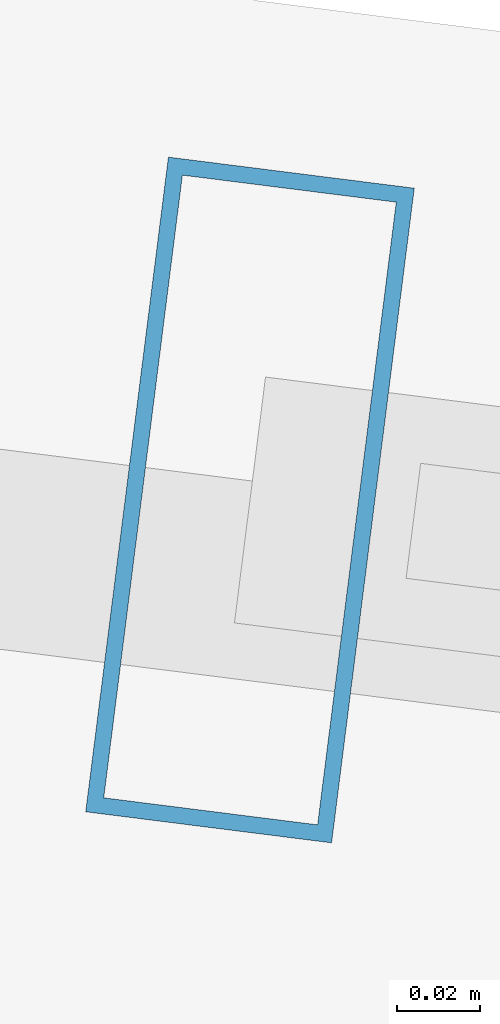
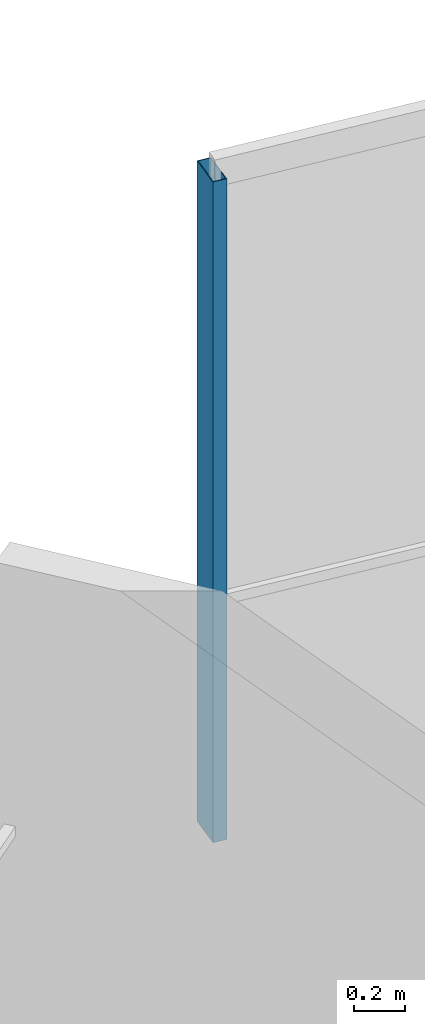
# One storey, part 18 of 30: 1 member, 1 element without a shape of its own.
"""IFC4 building model written with IfcOpenShell, lengths in metres."""

import ifcopenshell
import ifcopenshell.guid

model = None  # the IFC model being written
_history = None  # IfcOwnerHistory: only IFC2X3 demands one
_inside = {}  # id of a spatial element -> (the spatial element, [elements in it])
_under = {}  # id of a project, library or spatial element -> (it, [spatial elements below it])
_declared = {}  # id of a project -> (the project, [libraries it declares])
_typed = {}  # id of a type object -> (the type object, [elements of that type])
_made_of = {}  # id of a material, layer set ... -> (it, [elements and type objects made of it])


def new_model(schema):
    """Start an empty IFC model of exactly this schema.

    Asked for "IFC4X3", IfcOpenShell would pick the latest addendum, in which some entities
    have other attributes; the version numbers below select the first issue.
    IFC2X3 requires an IfcOwnerHistory on every rooted entity: one is made here for all.
    """
    global model, _history
    if schema == "IFC4X3":
        model = ifcopenshell.file(schema_version=(4, 3, 0, 0))
    else:
        model = ifcopenshell.file(schema=schema)
    _inside.clear()
    _under.clear()
    _declared.clear()
    _typed.clear()
    _made_of.clear()
    _history = None
    if model.schema == "IFC2X3":
        org = make("IfcOrganization", Name="unknown")
        user = make(
            "IfcPersonAndOrganization",
            ThePerson=make("IfcPerson", FamilyName="unknown"),
            TheOrganization=org,
        )
        app = make(
            "IfcApplication",
            ApplicationDeveloper=org,
            Version="unknown",
            ApplicationFullName="unknown",
            ApplicationIdentifier="unknown",
        )
        _history = make(
            "IfcOwnerHistory",
            OwningUser=user,
            OwningApplication=app,
            ChangeAction="ADDED",
            CreationDate=0,
        )
    return model


def make(cls, **values):
    """One entity of the class cls with the attributes given. An attribute that is None is left unset."""
    return model.create_entity(
        cls, **{name: value for name, value in values.items() if value is not None}
    )


def rooted(cls, **values):
    """An entity with a GlobalId (a new one), such as an element, a storey or a relation."""
    return make(cls, GlobalId=ifcopenshell.guid.new(), OwnerHistory=_history, **values)


def si_unit(unit_type, name, prefix=None):
    """IfcSIUnit, for example si_unit("LENGTHUNIT", "METRE", prefix="MILLI")."""
    return make("IfcSIUnit", UnitType=unit_type, Prefix=prefix, Name=name)


def assignment(units):
    """IfcUnitAssignment: the units of a project."""
    return None if units is None else make("IfcUnitAssignment", Units=units)


def point(xyz):
    """IfcCartesianPoint."""
    return None if xyz is None else make("IfcCartesianPoint", Coordinates=xyz)


def direction(xyz):
    """IfcDirection."""
    return None if xyz is None else make("IfcDirection", DirectionRatios=xyz)


def frame(location, z_axis=None, x_axis=None):
    """IfcAxis2Placement3D, a coordinate frame: its origin and axes. An axis left out is left unset."""
    return make(
        "IfcAxis2Placement3D",
        Location=point(location),
        Axis=direction(z_axis),
        RefDirection=direction(x_axis),
    )


def frame_2d(location, x_axis=None):
    """IfcAxis2Placement2D, a coordinate frame in the plane: its origin and x axis."""
    return make(
        "IfcAxis2Placement2D", Location=point(location), RefDirection=direction(x_axis)
    )


def origin():
    """The frame at (0, 0, 0) with its axes left unset."""
    return frame((0.0, 0.0, 0.0))


def origin_2d():
    """The frame at (0, 0) in the plane with its x axis left unset."""
    return frame_2d((0.0, 0.0))


def place(relative_to, where):
    """IfcLocalPlacement: puts the frame where relative to a parent placement (None: the world)."""
    return make(
        "IfcLocalPlacement", PlacementRelTo=relative_to, RelativePlacement=where
    )


def context(
    kind, dimensions, precision=None, world=None, true_north=None, identifier=None
):
    """IfcGeometricRepresentationContext, for example the 3D "Model" context."""
    return make(
        "IfcGeometricRepresentationContext",
        ContextIdentifier=identifier,
        ContextType=kind,
        CoordinateSpaceDimension=dimensions,
        Precision=precision,
        WorldCoordinateSystem=world,
        TrueNorth=true_north,
    )


def subcontext(parent, identifier, kind, view, scale=None):
    """IfcGeometricRepresentationSubContext, for example "Body" below "Model"."""
    return make(
        "IfcGeometricRepresentationSubContext",
        ContextIdentifier=identifier,
        ContextType=kind,
        ParentContext=parent,
        TargetScale=scale,
        TargetView=view,
    )


def project(units=None, contexts=None):
    """IfcProject with its units and contexts."""
    return rooted(
        "IfcProject",
        Name="project",
        RepresentationContexts=contexts,
        UnitsInContext=assignment(units),
    )


def spatial(cls, under=None, at=None, **own):
    """A site, building, storey or space (cls), placed at a placement, below another one or the project."""
    s = rooted(cls, ObjectPlacement=at, **own)
    if under is not None:
        _under.setdefault(under.id(), (under, []))[1].append(s)
    return s


def profile(cls, at=None, kind="AREA", **sizes):
    """A parametric profile (cls). Its sizes go by their IFC names, for example OverallWidth=200.0."""
    return make(cls, ProfileType=kind, Position=at, **sizes)


def hollow_rectangle(**sizes):
    """IfcRectangleHollowProfileDef."""
    return profile("IfcRectangleHollowProfileDef", **sizes)


def extrude(swept, where, along, depth):
    """IfcExtrudedAreaSolid: the profile swept, set in the frame where, extruded along a direction by depth."""
    return make(
        "IfcExtrudedAreaSolid",
        SweptArea=swept,
        Position=where,
        ExtrudedDirection=direction(along),
        Depth=depth,
    )


def shape(context_of_items, identifier, shape_type, items):
    """IfcShapeRepresentation: the items that make up one representation, for example the "Body"."""
    return make(
        "IfcShapeRepresentation",
        ContextOfItems=context_of_items,
        RepresentationIdentifier=identifier,
        RepresentationType=shape_type,
        Items=items,
    )


def material(Name=None, Category=None):
    """IfcMaterial."""
    return make("IfcMaterial", Name=Name, Category=Category)


def layer(
    of_material, thickness, ventilated=None, Name=None, Category=None, Priority=None
):
    """IfcMaterialLayer: one layer of a wall or slab, of a material (None: an air gap)."""
    return make(
        "IfcMaterialLayer",
        Material=of_material,
        LayerThickness=thickness,
        IsVentilated=ventilated,
        Name=Name,
        Category=Category,
        Priority=Priority,
    )


def layer_set(layers, Name=None):
    """IfcMaterialLayerSet."""
    return make("IfcMaterialLayerSet", MaterialLayers=layers, LayerSetName=Name)


def material_profile(
    of_material, cross_section, Name=None, Category=None, Priority=None
):
    """IfcMaterialProfile: a cross section and its material."""
    return make(
        "IfcMaterialProfile",
        Name=Name,
        Material=of_material,
        Profile=cross_section,
        Priority=Priority,
        Category=Category,
    )


def profile_set(profiles, Name=None, composite=None):
    """IfcMaterialProfileSet."""
    return make(
        "IfcMaterialProfileSet",
        Name=Name,
        MaterialProfiles=profiles,
        CompositeProfile=composite,
    )


def made_of(thing, what):
    """Note that an element or type object is made of a material, layer set ...; save() writes the relation."""
    if what is not None:
        _made_of.setdefault(what.id(), (what, []))[1].append(thing)
    return thing


def type_object(cls, material=None, **own):
    """A type object (cls), such as IfcWallType, which elements share."""
    return made_of(rooted(cls, **own), material)


def element(
    cls,
    number,
    at=None,
    inside=None,
    cuts=None,
    type_object=None,
    material=None,
    context=None,
    identifier="Body",
    shape_type=None,
    held_by="IfcProductDefinitionShape",
    body=None,
    shapes=None,
    **own,
):
    """One element of the class cls, such as IfcWall. Its Tag is "e" and its number.

    at: its placement. inside: the storey or other place that contains it. cuts: it is an
    opening in that element (IfcRelVoidsElement). A single representation is given by context,
    identifier, shape_type and body (its items); several are given by shapes. held_by: the class
    of the entity that holds the representations. save() writes the other relations.
    """
    e = rooted(cls, Tag="e%d" % number, ObjectPlacement=at, **own)
    if body is not None:
        shapes = [shape(context, identifier, shape_type, body)]
    if shapes is not None:
        e.Representation = make(held_by, Representations=shapes)
    if inside is not None:
        _inside.setdefault(inside.id(), (inside, []))[1].append(e)
    if cuts is not None:
        rooted(
            "IfcRelVoidsElement", RelatingBuildingElement=cuts, RelatedOpeningElement=e
        )
    if type_object is not None:
        _typed.setdefault(type_object.id(), (type_object, []))[1].append(e)
    return made_of(e, material)


def aggregate(whole, parts):
    """IfcRelAggregates: a whole, such as a stair, and the parts it consists of."""
    return rooted("IfcRelAggregates", RelatingObject=whole, RelatedObjects=parts)


def save(model, path):
    """Write the relations noted so far, then the file.

    IfcRelAggregates (storeys below a building ...), IfcRelContainedInSpatialStructure (elements
    in a storey), IfcRelDefinesByType, IfcRelAssociatesMaterial and IfcRelDeclares: one each for
    every whole, place, type object, material and project.
    """
    for whole, parts in _under.values():
        aggregate(whole, parts)
    for where, things in _inside.values():
        rooted(
            "IfcRelContainedInSpatialStructure",
            RelatedElements=things,
            RelatingStructure=where,
        )
    for kind, things in _typed.values():
        rooted("IfcRelDefinesByType", RelatedObjects=things, RelatingType=kind)
    for what, things in _made_of.values():
        rooted("IfcRelAssociatesMaterial", RelatedObjects=things, RelatingMaterial=what)
    for by, libraries in _declared.values():
        rooted("IfcRelDeclares", RelatingContext=by, RelatedDefinitions=libraries)
    model.write(path)


model = new_model("IFC4")

# Units and contexts
model_context = context("Model", 3, precision=1e-05, world=origin(), true_north=direction((0.0, 1.0)))
body_context = subcontext(model_context, "Body", "Model", "MODEL_VIEW")
ifc_project = project(units=[si_unit("LENGTHUNIT", "METRE"), si_unit("AREAUNIT", "SQUARE_METRE"), si_unit("VOLUMEUNIT", "CUBIC_METRE"), si_unit("PLANEANGLEUNIT", "RADIAN"), si_unit("MASSUNIT", "GRAM", prefix="KILO")], contexts=[model_context])

# Site, building, storey
site_placement = place(None, origin())
site = spatial("IfcSite", under=ifc_project, at=site_placement, CompositionType="ELEMENT")
building_placement = place(site_placement, origin())
building = spatial("IfcBuilding", under=site, at=building_placement, Name="Qarnah Convention Tower", CompositionType="ELEMENT")
storey_placement = place(building_placement, frame((0.0, 0.0, 40.800048828125)))
storey = spatial("IfcBuildingStorey", under=building, at=storey_placement, Name="L09", CompositionType="ELEMENT", Elevation=40.800048828125)

# Curtain wall, member
ifc_material_1 = material(Name="Tempered Low-E dark glass", Category="glass")
ifc_layer = layer(ifc_material_1, 0.16796875)
ifc_layer_set = layer_set([ifc_layer], Name="Tempered Low-E dark glass")
curtain_wall_type = type_object("IfcCurtainWallType", Name="CWS-01", PredefinedType="NOTDEFINED", material=ifc_layer_set)
curtain_wall_placement = place(storey_placement, origin())
curtain_wall = element("IfcCurtainWall", 1, at=curtain_wall_placement, inside=storey, type_object=curtain_wall_type, Name="L09 unitised curtain wall CW-L09-F2", PredefinedType="NOTDEFINED")
ifc_material_2 = material(Name="Black anodised aluminium", Category="aluminium")
ifc_material_profile = material_profile(ifc_material_2, hollow_rectangle(XDim=0.06005859375, YDim=0.159912109375, WallThickness=0.00390625, at=origin_2d()), Name="MUL-60X160")
ifc_profile_set = profile_set([ifc_material_profile], Name="Black anodised aluminium")
member_type = type_object("IfcMemberType", Name="MUL-T1", PredefinedType="MULLION", material=ifc_profile_set)
member_placement = place(storey_placement, frame((23.208984375, 47.08203125, 0.0), z_axis=(0.0, 0.0, 1.0), x_axis=(0.992116488383, -0.125319086651, 0.0)))
member = element("IfcMember", 2, at=member_placement, type_object=member_type, Name="CW-L09-F2 mullion 1", PredefinedType="MULLION", context=body_context, shape_type="SweptSolid", body=[
    extrude(hollow_rectangle(XDim=0.06005859375, YDim=0.159912109375, WallThickness=0.00390625, at=origin_2d()), origin(), (0.0, 0.0, 1.0), 3.169921875),
])
aggregate(curtain_wall, [member])

save(model, "model.ifc")
